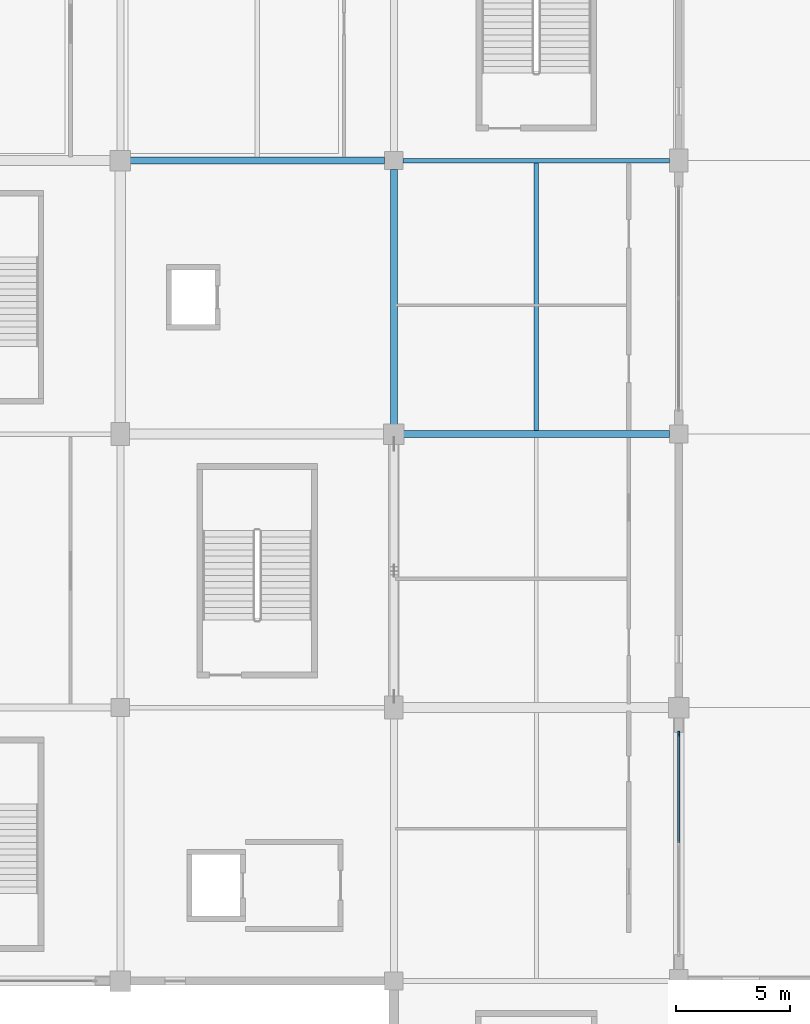
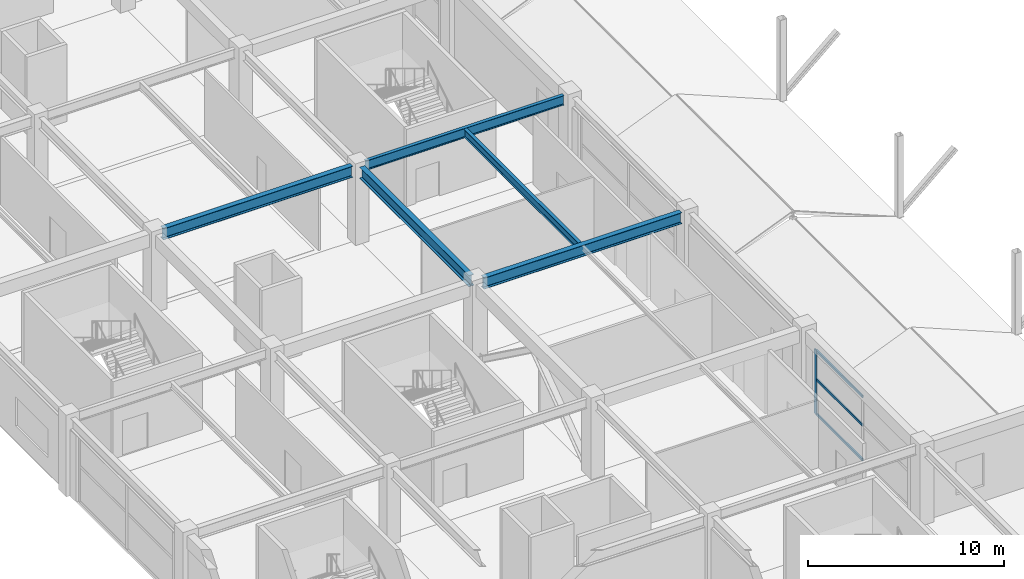
# One storey, part 16 of 116: 5 beams, 4 members, 1 element without a shape of its own.
"""IFC4 building model written with IfcOpenShell, lengths in metres."""

from ifc_helpers import new_model, si_unit, direction, frame, origin, origin_2d, place, context, subcontext, project, spatial, rectangle, i_section, extrude, material, layer, layer_set, material_profile, profile_set, type_object, element, aggregate, save


model = new_model("IFC4")

# Units and contexts
model_context = context("Model", 3, precision=1e-05, world=origin(), true_north=direction((0.0, 1.0)))
body_context = subcontext(model_context, "Body", "Model", "MODEL_VIEW")
ifc_project = project(units=[si_unit("LENGTHUNIT", "METRE"), si_unit("AREAUNIT", "SQUARE_METRE"), si_unit("VOLUMEUNIT", "CUBIC_METRE"), si_unit("PLANEANGLEUNIT", "RADIAN"), si_unit("MASSUNIT", "GRAM", prefix="KILO")], contexts=[model_context])

# Site, building, storey
site_placement = place(None, origin())
site = spatial("IfcSite", under=ifc_project, at=site_placement, CompositionType="ELEMENT")
building_placement = place(site_placement, origin())
building = spatial("IfcBuilding", under=site, at=building_placement, Name="Kazenohara Klinker Stadium", CompositionType="ELEMENT")
storey_placement = place(building_placement, frame((0.0, 0.0, 10.199951171875)))
storey = spatial("IfcBuildingStorey", under=building, at=storey_placement, Name="L02", CompositionType="ELEMENT", Elevation=10.199951171875)

# Beams
ifc_material_1 = material(Name="Steel S355", Category="steel")
ifc_material_profile_1 = material_profile(ifc_material_1, i_section(OverallWidth=0.199951171875, OverallDepth=0.5, WebThickness=0.010009765625, FlangeThickness=0.01611328125, FilletRadius=0.012939453125, at=origin_2d()), Name="H-500x200x10x16")
ifc_profile_set_1 = profile_set([ifc_material_profile_1], Name="Steel S355")
beam_type_1 = type_object("IfcBeamType", Name="BM-JST01", PredefinedType="JOIST", material=ifc_profile_set_1)
beam_1_placement = place(storey_placement, frame((30.25, 60.14990234375, 4.570068359375), z_axis=(0.0, 1.0, 0.0), x_axis=(-1.0, 0.0, 0.0)))
element("IfcBeam", 1, at=beam_1_placement, inside=storey, type_object=beam_type_1, Name="Secondary floor joist SJ01 L02 3/F", PredefinedType="JOIST", context=body_context, shape_type="SweptSolid", body=[
    extrude(i_section(OverallWidth=0.199951171875, OverallDepth=0.5, WebThickness=0.010009765625, FlangeThickness=0.01611328125, FilletRadius=0.012939453125, at=origin_2d()), origin(), (0.0, 0.0, 1.0), 11.75),
])
ifc_material_profile_2 = material_profile(ifc_material_1, i_section(OverallWidth=0.300048828125, OverallDepth=0.699951171875, WebThickness=0.012939453125, FlangeThickness=0.02392578125, FilletRadius=0.02197265625, at=origin_2d()), Name="H-700x300x13x24")
ifc_profile_set_2 = profile_set([ifc_material_profile_2], Name="Steel S355")
beam_type_2 = type_object("IfcBeamType", Name="BM-ST03", PredefinedType="BEAM", material=ifc_profile_set_2)
beam_2_placement = place(storey_placement, frame((12.419921875, 72.0, 4.469970703125), z_axis=(1.0, 0.0, 0.0), x_axis=(0.0, 1.0, 0.0)))
element("IfcBeam", 2, at=beam_2_placement, inside=storey, type_object=beam_type_2, Name="Primary girder SB03 L02 2-3/G", PredefinedType="BEAM", context=body_context, shape_type="SweptSolid", body=[
    extrude(i_section(OverallWidth=0.300048828125, OverallDepth=0.699951171875, WebThickness=0.012939453125, FlangeThickness=0.02392578125, FilletRadius=0.02197265625, at=origin_2d()), origin(), (0.0, 0.0, 1.0), 11.18017578125),
])
beam_3_placement = place(storey_placement, frame((24.419921875, 60.0, 4.469970703125), z_axis=(1.0, 0.0, 0.0), x_axis=(0.0, 1.0, 0.0)))
element("IfcBeam", 3, at=beam_3_placement, inside=storey, type_object=beam_type_2, Name="Primary girder SB03 L02 3-4/F", PredefinedType="BEAM", context=body_context, shape_type="SweptSolid", body=[
    extrude(i_section(OverallWidth=0.300048828125, OverallDepth=0.699951171875, WebThickness=0.012939453125, FlangeThickness=0.02392578125, FilletRadius=0.02197265625, at=origin_2d()), origin(), (0.0, 0.0, 1.0), 11.68017578125),
])
beam_4_placement = place(storey_placement, frame((24.0, 60.419921875, 4.469970703125), z_axis=(0.0, 1.0, 0.0), x_axis=(-1.0, 0.0, 0.0)))
element("IfcBeam", 4, at=beam_4_placement, inside=storey, type_object=beam_type_2, Name="Primary girder SB03 L02 3/F-G", PredefinedType="BEAM", context=body_context, shape_type="SweptSolid", body=[
    extrude(i_section(OverallWidth=0.300048828125, OverallDepth=0.699951171875, WebThickness=0.012939453125, FlangeThickness=0.02392578125, FilletRadius=0.02197265625, at=origin_2d()), origin(), (0.0, 0.0, 1.0), 11.18017578125),
])
ifc_material_profile_3 = material_profile(ifc_material_1, i_section(OverallWidth=0.199951171875, OverallDepth=0.60009765625, WebThickness=0.010986328125, FlangeThickness=0.01708984375, FilletRadius=0.012939453125, at=origin_2d()), Name="H-600x200x11x17")
ifc_profile_set_3 = profile_set([ifc_material_profile_3], Name="Steel S355")
beam_type_3 = type_object("IfcBeamType", Name="BM-ST04", PredefinedType="BEAM", material=ifc_profile_set_3)
beam_5_placement = place(storey_placement, frame((24.39990234375, 72.0, 4.52001953125), z_axis=(1.0, 0.0, 0.0), x_axis=(0.0, 1.0, 0.0)))
element("IfcBeam", 5, at=beam_5_placement, inside=storey, type_object=beam_type_3, Name="Primary girder SB04 L02 3-4/G", PredefinedType="BEAM", context=body_context, shape_type="SweptSolid", body=[
    extrude(i_section(OverallWidth=0.199951171875, OverallDepth=0.60009765625, WebThickness=0.010986328125, FlangeThickness=0.01708984375, FilletRadius=0.012939453125, at=origin_2d()), origin(), (0.0, 0.0, 1.0), 11.7001953125),
])

# Curtain wall, members
ifc_material_2 = material(Name="Anodised aluminium and triple glazing", Category="aluminium")
ifc_layer = layer(ifc_material_2, 0.159912109375)
ifc_layer_set = layer_set([ifc_layer], Name="Anodised aluminium and triple glazing")
curtain_wall_type = type_object("IfcCurtainWallType", Name="CW-SYS-01", PredefinedType="USERDEFINED", material=ifc_layer_set)
curtain_wall_placement = place(storey_placement, origin())
curtain_wall = element("IfcCurtainWall", 6, at=curtain_wall_placement, inside=storey, type_object=curtain_wall_type, Name="Unitised facade curtain wall CW01 L02 Y3-3", ObjectType="UNITISED CURTAIN WALL", PredefinedType="USERDEFINED")
ifc_material_3 = material(Name="Anodised aluminium 6063-T6", Category="aluminium")
ifc_material_profile_4 = material_profile(ifc_material_3, rectangle(XDim=0.074951171875, YDim=0.219970703125, at=origin_2d()), Name="ALU-MUL-75x220")
ifc_profile_set_4 = profile_set([ifc_material_profile_4], Name="Anodised aluminium 6063-T6")
member_type_1 = type_object("IfcMemberType", Name="CW-MUL-220", PredefinedType="MULLION", material=ifc_profile_set_4)
member_1_placement = place(storey_placement, frame((36.5, 46.8583984375, 0.0), z_axis=(0.0, 0.0, 1.0), x_axis=(-1.0, 0.0, 0.0)))
member_1 = element("IfcMember", 7, at=member_1_placement, type_object=member_type_1, Name="CW01 mullion 3", PredefinedType="MULLION", context=body_context, shape_type="SweptSolid", body=[
    extrude(rectangle(XDim=0.074951171875, YDim=0.219970703125, at=origin_2d()), origin(), (0.0, 0.0, 1.0), 4.02001953125),
])
ifc_material_profile_5 = material_profile(ifc_material_3, rectangle(XDim=0.074951171875, YDim=0.159912109375, at=origin_2d()), Name="ALU-TRN-75x160")
ifc_profile_set_5 = profile_set([ifc_material_profile_5], Name="Anodised aluminium 6063-T6")
member_type_2 = type_object("IfcMemberType", Name="CW-TRN-160", PredefinedType="USERDEFINED", material=ifc_profile_set_5)
member_2_placement = place(storey_placement, frame((36.5, 42.0625, 0.03759765625), z_axis=(0.0, 1.0, 0.0), x_axis=(-1.0, 0.0, 0.0)))
member_2 = element("IfcMember", 8, at=member_2_placement, type_object=member_type_2, Name="CW01 transom 2.1", ObjectType="TRANSOM", PredefinedType="USERDEFINED", context=body_context, shape_type="SweptSolid", body=[
    extrude(rectangle(XDim=0.074951171875, YDim=0.159912109375, at=origin_2d()), origin(), (0.0, 0.0, 1.0), 4.758544921875),
])
member_3_placement = place(storey_placement, frame((36.5, 42.0625, 2.2109375), z_axis=(0.0, 1.0, 0.0), x_axis=(-1.0, 0.0, 0.0)))
member_3 = element("IfcMember", 9, at=member_3_placement, type_object=member_type_2, Name="CW01 transom 2.2", ObjectType="TRANSOM", PredefinedType="USERDEFINED", context=body_context, shape_type="SweptSolid", body=[
    extrude(rectangle(XDim=0.074951171875, YDim=0.159912109375, at=origin_2d()), origin(), (0.0, 0.0, 1.0), 4.758544921875),
])
member_4_placement = place(storey_placement, frame((36.5, 42.0625, 3.982666015625), z_axis=(0.0, 1.0, 0.0), x_axis=(-1.0, 0.0, 0.0)))
member_4 = element("IfcMember", 10, at=member_4_placement, type_object=member_type_2, Name="CW01 transom 2.3", ObjectType="TRANSOM", PredefinedType="USERDEFINED", context=body_context, shape_type="SweptSolid", body=[
    extrude(rectangle(XDim=0.074951171875, YDim=0.159912109375, at=origin_2d()), origin(), (0.0, 0.0, 1.0), 4.758544921875),
])
aggregate(curtain_wall, [member_1, member_2, member_3, member_4])

save(model, "model.ifc")
